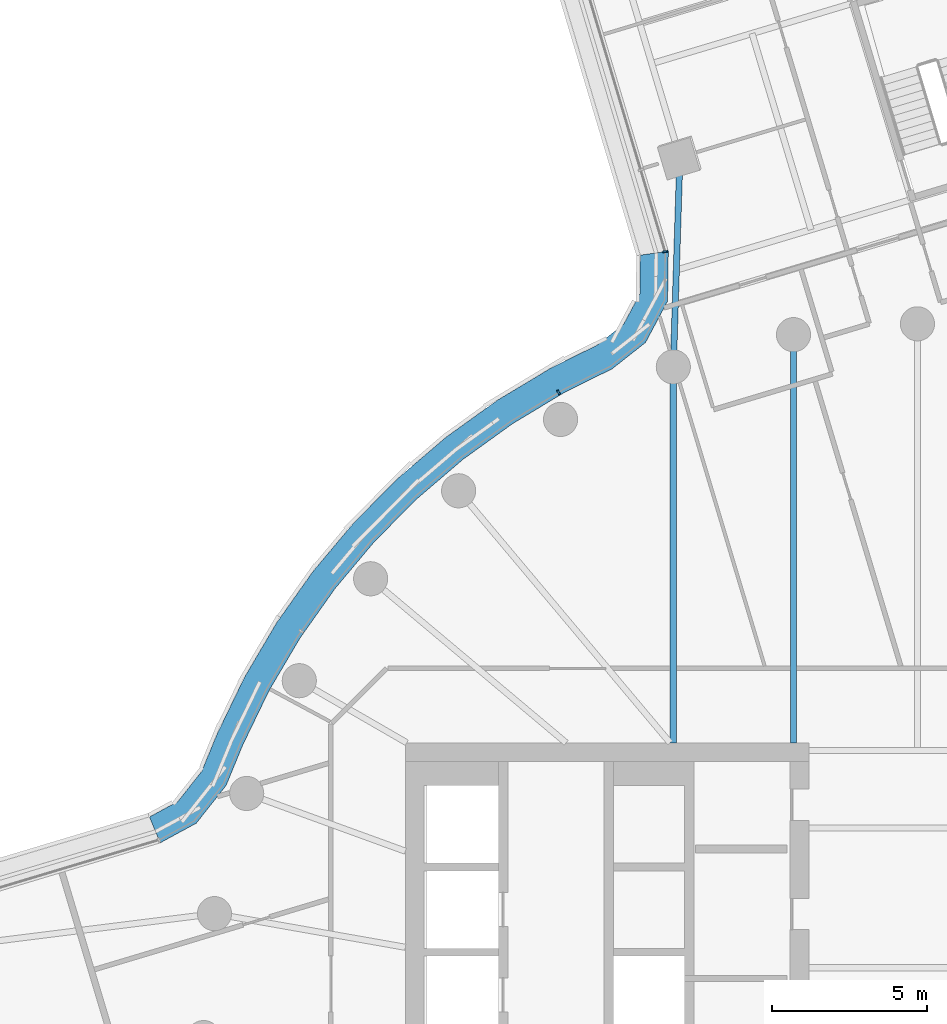
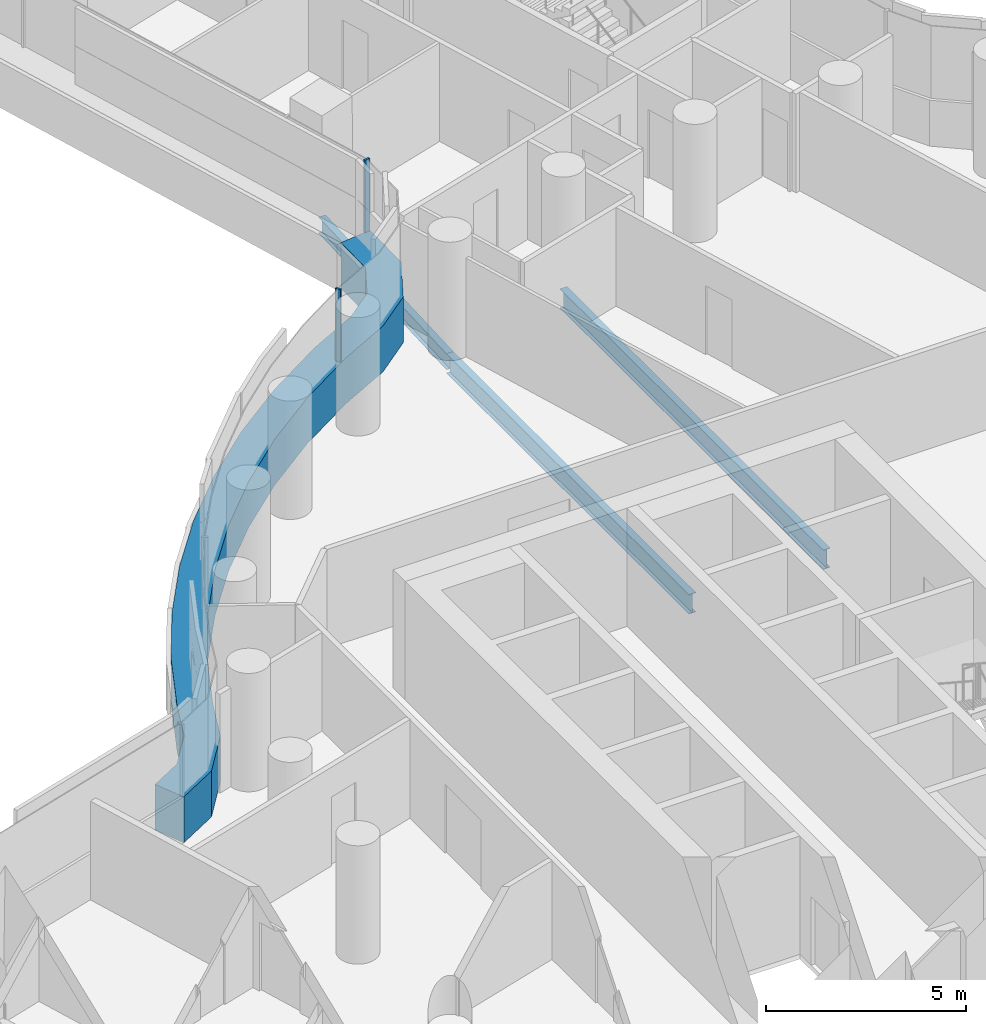
# One storey, part 13 of 32: 3 beams, 3 members, 1 element without a shape of its own.
"""IFC4 building model written with IfcOpenShell, lengths in metres."""

from ifc_helpers import new_model, si_unit, direction, frame, origin, origin_2d, place, context, subcontext, project, spatial, polyline, rectangle, i_section, outline, extrude, material, layer, layer_set, material_profile, profile_set, type_object, element, aggregate, save


model = new_model("IFC4")

# Units and contexts
model_context = context("Model", 3, precision=1e-05, world=origin(), true_north=direction((0.0, 1.0)))
body_context = subcontext(model_context, "Body", "Model", "MODEL_VIEW")
ifc_project = project(units=[si_unit("LENGTHUNIT", "METRE"), si_unit("AREAUNIT", "SQUARE_METRE"), si_unit("VOLUMEUNIT", "CUBIC_METRE"), si_unit("PLANEANGLEUNIT", "RADIAN"), si_unit("MASSUNIT", "GRAM", prefix="KILO")], contexts=[model_context])

# Site, building, storey
site_placement = place(None, origin())
site = spatial("IfcSite", under=ifc_project, at=site_placement, CompositionType="ELEMENT")
building_placement = place(site_placement, origin())
building = spatial("IfcBuilding", under=site, at=building_placement, Name="Tamarind Cross Interchange Tower", CompositionType="ELEMENT")
storey_placement = place(building_placement, frame((0.0, 0.0, 94.75)))
storey = spatial("IfcBuildingStorey", under=building, at=storey_placement, Name="L22", CompositionType="ELEMENT", Elevation=94.75)

# Beams
ifc_material_1 = material(Name="Steel Q355B", Category="steel")
ifc_material_profile_1 = material_profile(ifc_material_1, i_section(OverallWidth=0.198974609375, OverallDepth=0.49609375, WebThickness=0.009033203125, FlangeThickness=0.013916015625, FilletRadius=0.012939453125, at=origin_2d()), Name="HN 496x199x9x14")
ifc_profile_set_1 = profile_set([ifc_material_profile_1], Name="Steel Q355B")
beam_type_1 = type_object("IfcBeamType", Name="Composite beam HN 496x199x9x14 Q355B", PredefinedType="BEAM", material=ifc_profile_set_1)
beam_1_placement = place(storey_placement, frame((-7.655029296875, 28.3671875, -0.387939453125), z_axis=(-0.031287765119, -0.999510418032, 0.0), x_axis=(0.999510418032, -0.031287765119, 0.0)))
element("IfcBeam", 1, at=beam_1_placement, inside=storey, type_object=beam_type_1, Name="Beam N-linkep", PredefinedType="BEAM", context=body_context, shape_type="SweptSolid", body=[
    extrude(i_section(OverallWidth=0.198974609375, OverallDepth=0.49609375, WebThickness=0.009033203125, FlangeThickness=0.013916015625, FilletRadius=0.012939453125, at=origin_2d()), origin(), (0.0, 0.0, 1.0), 6.757568359375),
])
ifc_material_profile_2 = material_profile(ifc_material_1, i_section(OverallWidth=0.198974609375, OverallDepth=0.595947265625, WebThickness=0.010009765625, FlangeThickness=0.014892578125, FilletRadius=0.012939453125, at=origin_2d()), Name="HN 596x199x10x15")
ifc_profile_set_2 = profile_set([ifc_material_profile_2], Name="Steel Q355B")
beam_type_2 = type_object("IfcBeamType", Name="Composite beam HN 596x199x10x15 Q355B", PredefinedType="BEAM", material=ifc_profile_set_2)
beam_2_placement = place(storey_placement, frame((-3.993896484375, 22.650634765625, -0.43798828125), z_axis=(0.0, -1.0, 0.0), x_axis=(1.0, 0.0, 0.0)))
element("IfcBeam", 2, at=beam_2_placement, inside=storey, type_object=beam_type_2, Name="Beam HH10", PredefinedType="BEAM", context=body_context, shape_type="SweptSolid", body=[
    extrude(i_section(OverallWidth=0.198974609375, OverallDepth=0.595947265625, WebThickness=0.010009765625, FlangeThickness=0.014892578125, FilletRadius=0.012939453125, at=origin_2d()), origin(), (0.0, 0.0, 1.0), 13.150634765625),
])
beam_3_placement = place(storey_placement, frame((-7.866455078125, 21.613037109375, -0.43798828125), z_axis=(0.0, -1.0, 0.0), x_axis=(1.0, 0.0, 0.0)))
element("IfcBeam", 3, at=beam_3_placement, inside=storey, type_object=beam_type_2, Name="Beam HH11", PredefinedType="BEAM", context=body_context, shape_type="SweptSolid", body=[
    extrude(i_section(OverallWidth=0.198974609375, OverallDepth=0.595947265625, WebThickness=0.010009765625, FlangeThickness=0.014892578125, FilletRadius=0.012939453125, at=origin_2d()), origin(), (0.0, 0.0, 1.0), 12.113037109375),
])

# Curtain wall, members
ifc_material_2 = material(Name="Aluminium 6063-T6", Category="aluminium")
ifc_layer = layer(ifc_material_2, 0.159912109375)
ifc_layer_set = layer_set([ifc_layer], Name="Aluminium 6063-T6")
curtain_wall_type = type_object("IfcCurtainWallType", Name="Office curtain wall, 9.0 m bays", PredefinedType="NOTDEFINED", material=ifc_layer_set)
curtain_wall_placement = place(storey_placement, origin())
curtain_wall = element("IfcCurtainWall", 4, at=curtain_wall_placement, inside=storey, type_object=curtain_wall_type, Name="CWS-L22-02", PredefinedType="NOTDEFINED")
ifc_material_3 = material(Name="Aluminium and insulated spandrel panel", Category="aluminium")
member_type_1 = type_object("IfcMemberType", Name="Floor-edge blade transom", PredefinedType="USERDEFINED", material=ifc_material_3)
member_1_placement = place(storey_placement, origin())
member_1 = element("IfcMember", 5, at=member_1_placement, type_object=member_type_1, Name="CWT-L22-02", ObjectType="TRANSOM", PredefinedType="USERDEFINED", context=body_context, shape_type="SweptSolid", body=[
    extrude(outline(polyline([(-8.027099609375, 25.339111328125), (-8.05029296875, 23.72900390625), (-8.760498046875, 22.3974609375), (-9.83447265625, 21.550048828125), (-11.367431640625, 20.791015625), (-13.045654296875, 19.78125), (-14.634521484375, 18.636474609375), (-16.12353515625, 17.3642578125), (-17.50244140625, 15.973388671875), (-18.76171875, 14.4736328125), (-19.892822265625, 12.874755859375), (-20.88818359375, 11.188232421875), (-21.7421875, 9.421875), (-22.27734375, 8.1220703125), (-23.235595703125, 6.907470703125), (-24.3994140625, 6.27490234375), (-24.747314453125, 7.110107421875), (-23.82763671875, 7.610107421875), (-23.061767578125, 8.580810546875), (-22.564208984375, 9.78955078125), (-21.68212890625, 11.613525390625), (-20.64892578125, 13.3642578125), (-19.474853515625, 15.023681640625), (-18.167724609375, 16.580810546875), (-16.736572265625, 18.0244140625), (-15.19091796875, 19.344970703125), (-13.54150390625, 20.533203125), (-11.7998046875, 21.581298828125), (-10.318115234375, 22.31494140625), (-9.4658203125, 22.987060546875), (-8.947021484375, 23.9599609375), (-8.928955078125, 25.2138671875), (-8.027099609375, 25.339111328125)])), origin(), (0.0, 0.0, 1.0), 1.39990234375),
])
ifc_material_profile_3 = material_profile(ifc_material_2, rectangle(XDim=0.06005859375, YDim=0.159912109375, at=origin_2d()), Name="Mullion CW1")
ifc_profile_set_3 = profile_set([ifc_material_profile_3], Name="Aluminium 6063-T6")
member_type_2 = type_object("IfcMemberType", Name="Mullion CW1", PredefinedType="MULLION", material=ifc_profile_set_3)
member_2_placement = place(storey_placement, frame((-8.12744140625, 25.3251953125, 1.39990234375), z_axis=(0.0, 0.0, 1.0), x_axis=(0.137539992752, -0.990496214225, 0.0)))
member_2 = element("IfcMember", 6, at=member_2_placement, type_object=member_type_2, Name="CWM-L22-02-00", PredefinedType="MULLION", context=body_context, shape_type="SweptSolid", body=[
    extrude(rectangle(XDim=0.06005859375, YDim=0.159912109375, at=origin_2d()), origin(), (0.0, 0.0, 1.0), 2.210205078125),
])
member_3_placement = place(storey_placement, frame((-11.561767578125, 20.790771484375, 1.39990234375), z_axis=(0.0, 0.0, 1.0), x_axis=(-0.856843065292, -0.515577308909, 0.0)))
member_3 = element("IfcMember", 7, at=member_3_placement, type_object=member_type_2, Name="CWM-L22-02-01", PredefinedType="MULLION", context=body_context, shape_type="SweptSolid", body=[
    extrude(rectangle(XDim=0.06005859375, YDim=0.159912109375, at=origin_2d()), origin(), (0.0, 0.0, 1.0), 2.210205078125),
])
aggregate(curtain_wall, [member_2, member_3, member_1])

save(model, "model.ifc")
